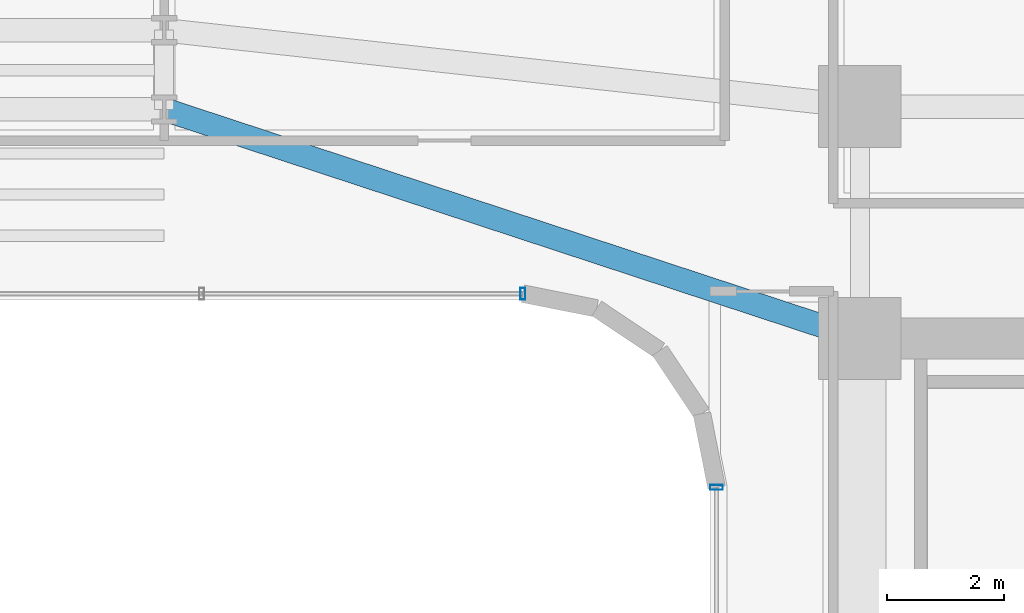
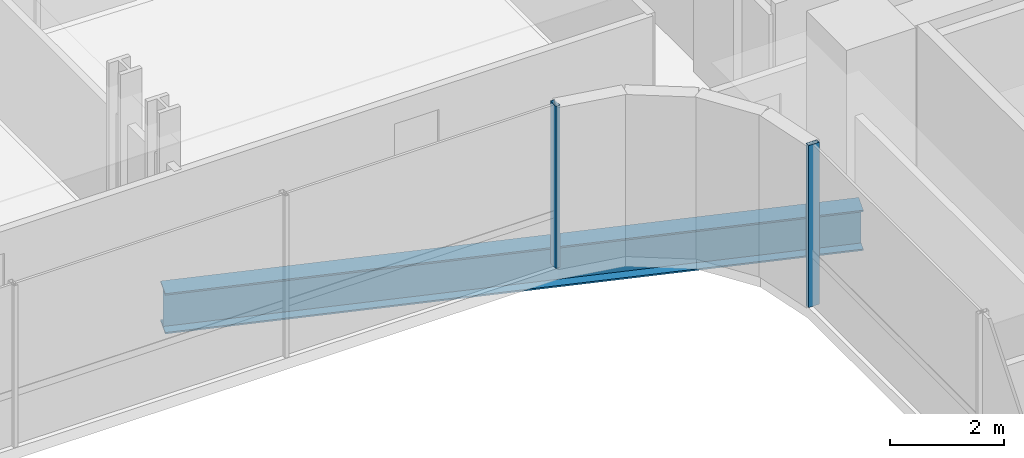
# One storey, part 16 of 39: 2 members, 1 beam, 2 elements without a shape of their own.
"""IFC4 building model written with IfcOpenShell, lengths in metres."""

from ifc_helpers import new_model, si_unit, direction, frame, origin, origin_2d, place, context, subcontext, project, spatial, hollow_rectangle, i_section, extrude, source, transform, mapped, material, material_profile, profile_set, type_object, element, aggregate, save


model = new_model("IFC4")

# Units and contexts
model_context = context("Model", 3, precision=1e-05, world=origin(), true_north=direction((0.0, 1.0)))
body_context = subcontext(model_context, "Body", "Model", "MODEL_VIEW")
ifc_project = project(units=[si_unit("LENGTHUNIT", "METRE"), si_unit("AREAUNIT", "SQUARE_METRE"), si_unit("VOLUMEUNIT", "CUBIC_METRE"), si_unit("PLANEANGLEUNIT", "RADIAN"), si_unit("MASSUNIT", "GRAM", prefix="KILO")], contexts=[model_context])

# Site, building, storey
site_placement = place(None, origin())
site = spatial("IfcSite", under=ifc_project, at=site_placement, CompositionType="ELEMENT")
building_placement = place(site_placement, origin())
building = spatial("IfcBuilding", under=site, at=building_placement, Name="Valdorenza Pilgrim Sanctuary Tower", CompositionType="ELEMENT")
storey_placement = place(building_placement, frame((0.0, 0.0, 33.39990234375)))
storey = spatial("IfcBuildingStorey", under=building, at=storey_placement, Name="L07", CompositionType="ELEMENT", Elevation=33.39990234375)

# Beam
ifc_material_1 = material(Name="Steel ASTM A992 Grade 50", Category="steel")
ifc_material_profile_1 = material_profile(ifc_material_1, i_section(OverallWidth=0.39990234375, OverallDepth=0.862060546875, WebThickness=0.019775390625, FlangeThickness=0.032470703125, at=origin_2d()), Name="W33X221")
ifc_profile_set_1 = profile_set([ifc_material_profile_1], Name="Steel ASTM A992 Grade 50")
beam_type = type_object("IfcBeamType", Name="STR-BM-GRD-W33", PredefinedType="BEAM", material=ifc_profile_set_1)
shared_shape_1 = source(origin(), body_context, "Body", "SweptSolid", [
    extrude(i_section(OverallWidth=0.39990234375, OverallDepth=0.862060546875, WebThickness=0.019775390625, FlangeThickness=0.032470703125, at=origin_2d()), origin(), (0.0, 0.0, 1.0), 12.475341796875),
])
beam_placement = place(storey_placement, frame((4.0, 13.449951171875, -0.6708984375), z_axis=(0.949881908141, -0.312608957943, 0.0), x_axis=(0.312608957943, 0.949881908141, 0.0)))
element("IfcBeam", 1, at=beam_placement, inside=storey, type_object=beam_type, Name="L07 Floor Girder KNK-G3", PredefinedType="BEAM", context=body_context, shape_type="MappedRepresentation", body=[
    mapped(shared_shape_1, transform((0.0, 0.0, 0.0), x_axis=(1.0, 0.0, 0.0), y_axis=(0.0, 1.0, 0.0), z_axis=(0.0, 0.0, 1.0), scale=1.0)),
])

# Curtain wall, member
ifc_material_2 = material(Name="Curtain-wall IGU glazing", Category="glass")
curtain_wall_type_1 = type_object("IfcCurtainWallType", Name="CW-SYS-02", PredefinedType="NOTDEFINED", material=ifc_material_2)
curtain_wall_1_placement = place(storey_placement, origin())
curtain_wall_1 = element("IfcCurtainWall", 2, at=curtain_wall_1_placement, inside=storey, type_object=curtain_wall_type_1, Name="L07 Curtain Wall CW-L07-1-36", PredefinedType="NOTDEFINED")
ifc_material_3 = material(Name="Anodised aluminium AW-6060", Category="aluminium")
ifc_material_profile_2 = material_profile(ifc_material_3, hollow_rectangle(XDim=0.0849609375, YDim=0.199951171875, WallThickness=0.0048828125, at=origin_2d()), Name="ALU-M 200x85x5")
ifc_profile_set_2 = profile_set([ifc_material_profile_2], Name="Anodised aluminium AW-6060")
member_type_1 = type_object("IfcMemberType", Name="CW-MUL-02", PredefinedType="MULLION", material=ifc_profile_set_2)
shared_shape_2 = source(origin(), body_context, "Body", "SweptSolid", [
    extrude(hollow_rectangle(XDim=0.0849609375, YDim=0.199951171875, WallThickness=0.0048828125, at=origin_2d()), origin(), (0.0, 0.0, 1.0), 3.460205078125),
])
member_1_placement = place(storey_placement, frame((10.11083984375, 10.31005859375, 0.0), z_axis=(0.0, 0.0, 1.0), x_axis=(-1.0, 0.0, 0.0)))
member_1 = element("IfcMember", 3, at=member_1_placement, type_object=member_type_1, Name="CW-L07-1-36 Mullion 1", PredefinedType="MULLION", context=body_context, shape_type="MappedRepresentation", body=[
    mapped(shared_shape_2, transform((0.0, 0.0, 0.0), x_axis=(1.0, 0.0, 0.0), y_axis=(0.0, 1.0, 0.0), z_axis=(0.0, 0.0, 1.0), scale=1.0)),
])
aggregate(curtain_wall_1, [member_1])

curtain_wall_type_2 = type_object("IfcCurtainWallType", Name="CW-SYS-03", PredefinedType="NOTDEFINED", material=ifc_material_2)
curtain_wall_2_placement = place(storey_placement, origin())
curtain_wall_2 = element("IfcCurtainWall", 4, at=curtain_wall_2_placement, inside=storey, type_object=curtain_wall_type_2, Name="L07 Curtain Wall CW-L07-1-31", PredefinedType="NOTDEFINED")
ifc_material_profile_3 = material_profile(ifc_material_3, hollow_rectangle(XDim=0.0849609375, YDim=0.219970703125, WallThickness=0.0048828125, at=origin_2d()), Name="ALU-M 220x85x5")
ifc_profile_set_3 = profile_set([ifc_material_profile_3], Name="Anodised aluminium AW-6060")
member_type_2 = type_object("IfcMemberType", Name="CW-MUL-03", PredefinedType="MULLION", material=ifc_profile_set_3)
shared_shape_3 = source(origin(), body_context, "Body", "SweptSolid", [
    extrude(hollow_rectangle(XDim=0.0849609375, YDim=0.219970703125, WallThickness=0.0048828125, at=origin_2d()), origin(), (0.0, 0.0, 1.0), 3.460205078125),
])
member_2_placement = place(storey_placement, frame((13.409912109375, 7.0107421875, 0.0), z_axis=(0.0, 0.0, 1.0), x_axis=(0.0, 1.0, 0.0)))
member_2 = element("IfcMember", 5, at=member_2_placement, type_object=member_type_2, Name="CW-L07-1-31 Mullion 4", PredefinedType="MULLION", context=body_context, shape_type="MappedRepresentation", body=[
    mapped(shared_shape_3, transform((0.0, 0.0, 0.0), x_axis=(1.0, 0.0, 0.0), y_axis=(0.0, 1.0, 0.0), z_axis=(0.0, 0.0, 1.0), scale=1.0)),
])
aggregate(curtain_wall_2, [member_2])

save(model, "model.ifc")
